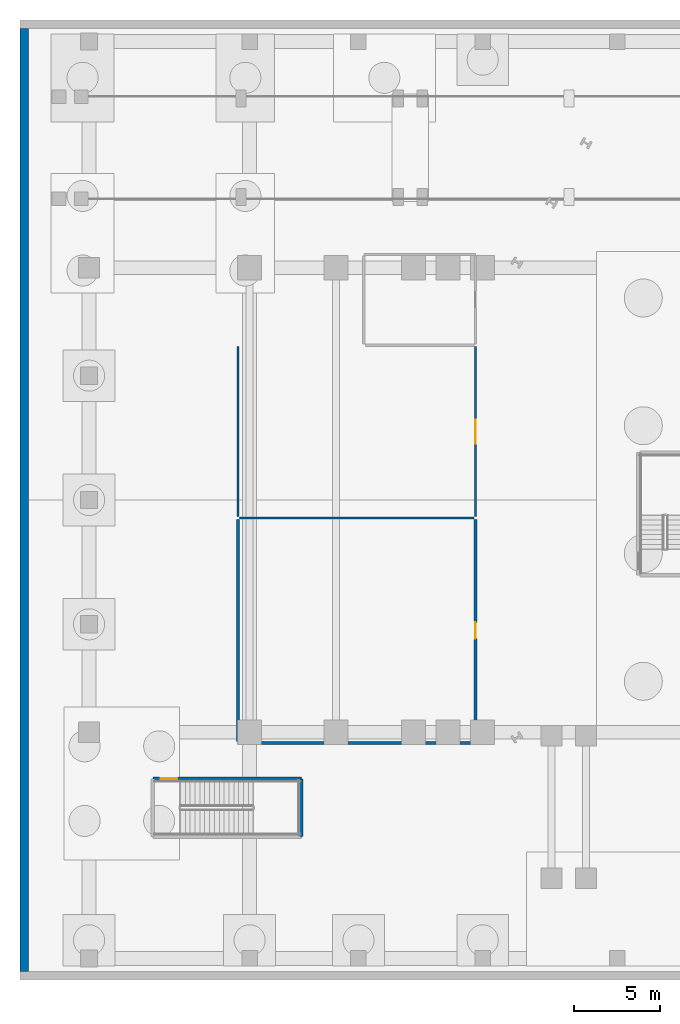
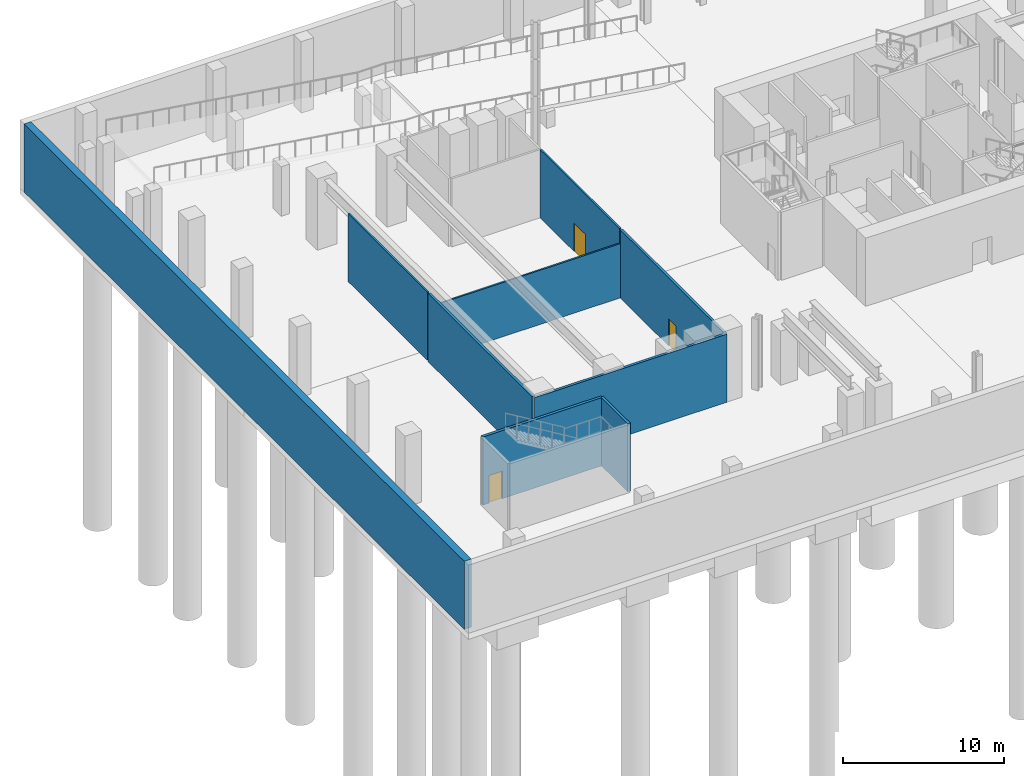
# One storey, part 4 of 16: 9 walls, 3 doors, 3 openings.
"""IFC4 building model written with IfcOpenShell, lengths in metres."""

from ifc_helpers import new_model, si_unit, direction, frame, frame_2d, origin, place, context, subcontext, project, spatial, rectangle, extrude, material, layer, layer_set, type_object, element, fill, save


model = new_model("IFC4")

# Units and contexts
model_context = context("Model", 3, precision=1e-05, world=origin(), true_north=direction((0.0, 1.0)))
body_context = subcontext(model_context, "Body", "Model", "MODEL_VIEW")
ifc_project = project(units=[si_unit("LENGTHUNIT", "METRE"), si_unit("AREAUNIT", "SQUARE_METRE"), si_unit("VOLUMEUNIT", "CUBIC_METRE"), si_unit("PLANEANGLEUNIT", "RADIAN"), si_unit("MASSUNIT", "GRAM", prefix="KILO")], contexts=[model_context])

# Site, building, storey
site_placement = place(None, origin())
site = spatial("IfcSite", under=ifc_project, at=site_placement, CompositionType="ELEMENT")
building_placement = place(site_placement, origin())
building = spatial("IfcBuilding", under=site, at=building_placement, Name="Valkerne Bourse Tower", CompositionType="ELEMENT")
storey_placement = place(building_placement, frame((0.0, 0.0, -5.39990234375)))
storey = spatial("IfcBuildingStorey", under=building, at=storey_placement, Name="B1", CompositionType="ELEMENT", Elevation=-5.39990234375)

# Walls
ifc_material_1 = material(Name="Gypsum Board Steel-Stud Partition", Category="steel")
ifc_layer_1 = layer(ifc_material_1, 0.117919921875)
ifc_layer_set_1 = layer_set([ifc_layer_1], Name="Gypsum Board Steel-Stud Partition")
wall_type_1 = type_object("IfcWallType", Name="W-CORR-140", PredefinedType="PARTITIONING", material=ifc_layer_set_1)
wall_1_placement = place(storey_placement, frame((10.89990234375, 25.9599609375, 0.0), z_axis=(0.0, 0.0, 1.0), x_axis=(1.0, 0.0, 0.0)))
element("IfcWall", 1, at=wall_1_placement, inside=storey, type_object=wall_type_1, Name="B1 Secure Staff Cycle Store Wall", PredefinedType="PARTITIONING", context=body_context, shape_type="SweptSolid", body=[
    extrude(rectangle(XDim=13.60009765625, YDim=0.117919921875, at=frame_2d((6.800048828125, 0.0))), origin(), (0.0, 0.0, 1.0), 4.103515625),
])
wall_2_placement = place(storey_placement, frame((10.820068359375, 26.0400390625, 0.0), z_axis=(0.0, 0.0, 1.0), x_axis=(0.0, 1.0, 0.0)))
element("IfcWall", 2, at=wall_2_placement, inside=storey, type_object=wall_type_1, Name="B1 Secure Staff Cycle Store Wall", PredefinedType="PARTITIONING", context=body_context, shape_type="SweptSolid", body=[
    extrude(rectangle(XDim=9.83984375, YDim=0.117919921875, at=frame_2d((4.919921875, 0.0))), origin(), (0.0, 0.0, 1.0), 5.159912109375),
])

# Wall, opening, door
wall_3_placement = place(storey_placement, frame((24.580078125, 26.0400390625, 0.0), z_axis=(0.0, 0.0, 1.0), x_axis=(0.0, 1.0, 0.0)))
wall_3 = element("IfcWall", 3, at=wall_3_placement, inside=storey, type_object=wall_type_1, Name="B1 Secure Staff Cycle Store Wall", PredefinedType="PARTITIONING", context=body_context, shape_type="SweptSolid", body=[
    extrude(rectangle(XDim=9.83984375, YDim=0.117919921875, at=frame_2d((4.919921875, 0.0))), origin(), (0.0, 0.0, 1.0), 5.159912109375),
])
opening_1_placement = place(wall_3_placement, frame((4.219970703125, 0.0, 0.0)))
opening_1 = element("IfcOpeningElement", 4, at=opening_1_placement, cuts=wall_3, Name="Opening D-PL-1400", PredefinedType="OPENING", context=body_context, shape_type="SweptSolid", body=[
    extrude(rectangle(XDim=1.39990234375, YDim=2.14990234375, at=frame_2d((0.699951171875, 1.074951171875))), frame((0.0, 0.06884765625, 0.0), z_axis=(0.0, -1.0, 0.0), x_axis=(1.0, 0.0, 0.0)), (0.0, 0.0, 1.0), 0.137939453125),
])
ifc_material_2 = material(Name="Galvanised Painted Steel", Category="steel")
door_type_1 = type_object("IfcDoorType", Name="DR-PLT-1400", OperationType="DOUBLE_DOOR_SINGLE_SWING", PredefinedType="DOOR", material=ifc_material_2)
door_1_placement = place(opening_1_placement, origin())
door_1 = element("IfcDoor", 5, at=door_1_placement, inside=storey, type_object=door_type_1, Name="B1 Cycle Store Door", OperationType="DOUBLE_DOOR_SINGLE_SWING", OverallHeight=2.14990234375, OverallWidth=1.39990234375, PredefinedType="DOOR", context=body_context, shape_type="SweptSolid", body=[
    extrude(rectangle(XDim=1.39990234375, YDim=2.14990234375, at=frame_2d((0.699951171875, 1.074951171875))), frame((0.0, 0.02490234375, 0.0), z_axis=(0.0, -1.0, 0.0), x_axis=(1.0, 0.0, 0.0)), (0.0, 0.0, 1.0), 0.050048828125),
])
fill(opening_1, door_1)

# Walls
ifc_material_3 = material(Name="Gypsum Fire-Rated Shaftwall", Category="gypsum")
ifc_layer_2 = layer(ifc_material_3, 0.179931640625)
ifc_layer_set_2 = layer_set([ifc_layer_2], Name="Gypsum Fire-Rated Shaftwall")
wall_type_2 = type_object("IfcWallType", Name="W-FSAE-180", PredefinedType="PARTITIONING", material=ifc_layer_set_2)
wall_4_placement = place(storey_placement, frame((10.820068359375, 12.919921875, 0.0), z_axis=(0.0, 0.0, 1.0), x_axis=(1.0, 0.0, 0.0)))
element("IfcWall", 6, at=wall_4_placement, inside=storey, type_object=wall_type_2, Name="B1 Armored Bullion & Securities Vault Store Wall", PredefinedType="PARTITIONING", context=body_context, shape_type="SweptSolid", body=[
    extrude(rectangle(XDim=13.760009765625, YDim=0.179931640625, at=frame_2d((6.8798828125, 0.0))), origin(), (0.0, 0.0, 1.0), 5.159912109375),
])
wall_5_placement = place(storey_placement, frame((10.820068359375, 13.0, 0.0), z_axis=(0.0, 0.0, 1.0), x_axis=(0.0, 1.0, 0.0)))
element("IfcWall", 7, at=wall_5_placement, inside=storey, type_object=wall_type_2, Name="B1 Armored Bullion & Securities Vault Store Wall", PredefinedType="PARTITIONING", context=body_context, shape_type="SweptSolid", body=[
    extrude(rectangle(XDim=12.8798828125, YDim=0.179931640625, at=frame_2d((6.43994140625, 0.0))), origin(), (0.0, 0.0, 1.0), 5.159912109375),
])

# Wall, opening, door
wall_6_placement = place(storey_placement, frame((24.580078125, 13.0, 0.0), z_axis=(0.0, 0.0, 1.0), x_axis=(0.0, 1.0, 0.0)))
wall_6 = element("IfcWall", 8, at=wall_6_placement, inside=storey, type_object=wall_type_2, Name="B1 Armored Bullion & Securities Vault Store Wall", PredefinedType="PARTITIONING", context=body_context, shape_type="SweptSolid", body=[
    extrude(rectangle(XDim=12.8798828125, YDim=0.179931640625, at=frame_2d((6.43994140625, 0.0))), origin(), (0.0, 0.0, 1.0), 5.159912109375),
])
opening_2_placement = place(wall_6_placement, frame((5.965087890625, 0.0, 0.0)))
opening_2 = element("IfcOpeningElement", 9, at=opening_2_placement, cuts=wall_6, Name="Opening D-SV-950", PredefinedType="OPENING", context=body_context, shape_type="SweptSolid", body=[
    extrude(rectangle(XDim=0.949951171875, YDim=2.050048828125, at=frame_2d((0.47509765625, 1.02490234375))), frame((0.0, 0.099853515625, 0.0), z_axis=(0.0, -1.0, 0.0), x_axis=(1.0, 0.0, 0.0)), (0.0, 0.0, 1.0), 0.199951171875),
])
door_type_2 = type_object("IfcDoorType", Name="DR-SRV-950", OperationType="NOTDEFINED", PredefinedType="DOOR", material=ifc_material_2)
door_2_placement = place(opening_2_placement, origin())
door_2 = element("IfcDoor", 10, at=door_2_placement, inside=storey, type_object=door_type_2, Name="B1 Bullion Vault Door", OperationType="SINGLE_SWING_RIGHT", OverallHeight=2.050048828125, OverallWidth=0.949951171875, PredefinedType="DOOR", context=body_context, shape_type="SweptSolid", body=[
    extrude(rectangle(XDim=0.949951171875, YDim=2.050048828125, at=frame_2d((0.47509765625, 1.02490234375))), frame((0.0, 0.02490234375, 0.0), z_axis=(0.0, -1.0, 0.0), x_axis=(1.0, 0.0, 0.0)), (0.0, 0.0, 1.0), 0.050048828125),
])
fill(opening_2, door_2)

# Wall
ifc_material_4 = material(Name="Concrete C55/67", Category="concrete")
ifc_layer_3 = layer(ifc_material_4, 0.5)
ifc_layer_set_3 = layer_set([ifc_layer_3], Name="Concrete C55/67")
wall_type_3 = type_object("IfcWallType", Name="W-RET-500", PredefinedType="SHEAR", material=ifc_layer_set_3)
wall_7_placement = place(storey_placement, frame((-1.550048828125, -0.300048828125, 0.0), z_axis=(0.0, 0.0, 1.0), x_axis=(0.0, 1.0, 0.0)))
element("IfcWall", 11, at=wall_7_placement, inside=storey, type_object=wall_type_3, Name="B1 Perimeter Retaining Wall W", PredefinedType="SHEAR", context=body_context, shape_type="SweptSolid", body=[
    extrude(rectangle(XDim=54.60009765625, YDim=0.5, at=frame_2d((27.300048828125, 0.0))), origin(), (0.0, 0.0, 1.0), 5.159912109375),
])

# Wall, opening, door
ifc_material_5 = material(Name="Concrete C40/50", Category="concrete")
ifc_layer_4 = layer(ifc_material_5, 0.199951171875)
ifc_layer_set_4 = layer_set([ifc_layer_4], Name="Concrete C40/50")
wall_type_4 = type_object("IfcWallType", Name="W-SHF-200", PredefinedType="SHEAR", material=ifc_layer_set_4)
wall_8_placement = place(storey_placement, frame((5.89990234375, 10.85009765625, 0.0), z_axis=(0.0, 0.0, 1.0), x_axis=(1.0, 0.0, 0.0)))
wall_8 = element("IfcWall", 12, at=wall_8_placement, inside=storey, type_object=wall_type_4, Name="B1 Exit Stair ST-P1 Structural North Wall", PredefinedType="SHEAR", context=body_context, shape_type="SweptSolid", body=[
    extrude(rectangle(XDim=8.60009765625, YDim=0.199951171875, at=frame_2d((4.300048828125, 0.0))), origin(), (0.0, 0.0, 1.0), 5.159912109375),
])
opening_3_placement = place(wall_8_placement, frame((0.449951171875, 0.0, 0.0)))
opening_3 = element("IfcOpeningElement", 13, at=opening_3_placement, cuts=wall_8, Name="Opening D-ST-950", PredefinedType="OPENING", context=body_context, shape_type="SweptSolid", body=[
    extrude(rectangle(XDim=0.949951171875, YDim=2.10009765625, at=frame_2d((0.47509765625, 1.050048828125))), frame((0.0, 0.10986328125, 0.0), z_axis=(0.0, -1.0, 0.0), x_axis=(1.0, 0.0, 0.0)), (0.0, 0.0, 1.0), 0.219970703125),
])
door_type_3 = type_object("IfcDoorType", Name="DR-STAIR-950", OperationType="NOTDEFINED", PredefinedType="DOOR", material=ifc_material_2)
door_3_placement = place(opening_3_placement, origin())
door_3 = element("IfcDoor", 14, at=door_3_placement, inside=storey, type_object=door_type_3, Name="B1 Exit Stair ST-P1 Door", OperationType="SINGLE_SWING_LEFT", OverallHeight=2.10009765625, OverallWidth=0.949951171875, PredefinedType="DOOR", context=body_context, shape_type="SweptSolid", body=[
    extrude(rectangle(XDim=0.949951171875, YDim=2.10009765625, at=frame_2d((0.47509765625, 1.050048828125))), frame((0.0, 0.02490234375, 0.0), z_axis=(0.0, -1.0, 0.0), x_axis=(1.0, 0.0, 0.0)), (0.0, 0.0, 1.0), 0.050048828125),
])
fill(opening_3, door_3)

# Wall
wall_9_placement = place(storey_placement, frame((14.5, 7.5, 0.0), z_axis=(0.0, 0.0, 1.0), x_axis=(0.0, 1.0, 0.0)))
element("IfcWall", 15, at=wall_9_placement, inside=storey, type_object=wall_type_4, Name="B1 Exit Stair ST-P1 Structural East Wall", PredefinedType="SHEAR", context=body_context, shape_type="SweptSolid", body=[
    extrude(rectangle(XDim=3.35009765625, YDim=0.199951171875, at=frame_2d((1.675048828125, 0.0))), origin(), (0.0, 0.0, 1.0), 5.159912109375),
])

save(model, "model.ifc")
